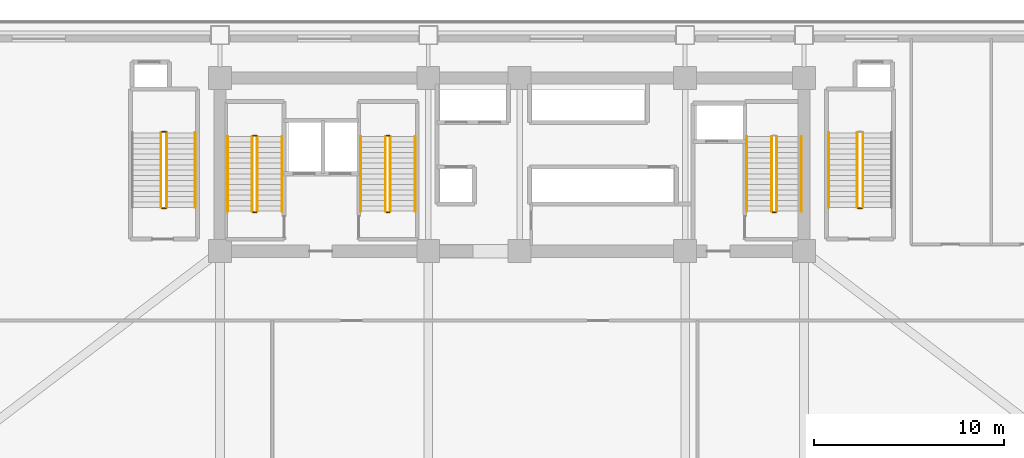
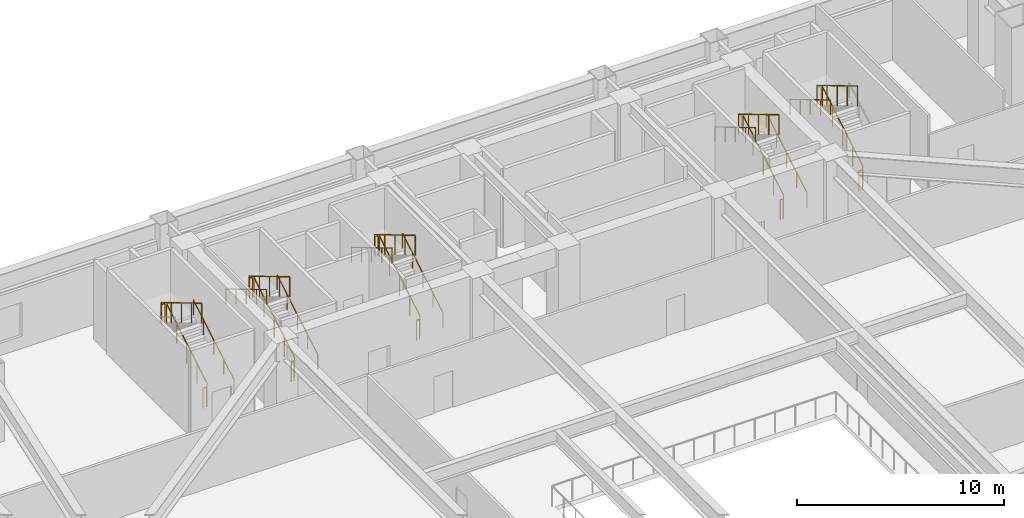
# One storey, part 12 of 14: 26 railings.
"""IFC4 building model written with IfcOpenShell, lengths in metres."""

from ifc_helpers import new_model, si_unit, direction, frame, origin, origin_2d, place, context, subcontext, project, spatial, rectangle, extrude, material, type_object, element, save


model = new_model("IFC4")

# Units and contexts
model_context = context("Model", 3, precision=1e-05, world=origin(), true_north=direction((0.0, 1.0)))
body_context = subcontext(model_context, "Body", "Model", "MODEL_VIEW")
ifc_project = project(units=[si_unit("LENGTHUNIT", "METRE"), si_unit("AREAUNIT", "SQUARE_METRE"), si_unit("VOLUMEUNIT", "CUBIC_METRE"), si_unit("PLANEANGLEUNIT", "RADIAN"), si_unit("MASSUNIT", "GRAM", prefix="KILO")], contexts=[model_context])

# Site, building, storey
site_placement = place(None, origin())
site = spatial("IfcSite", under=ifc_project, at=site_placement, CompositionType="ELEMENT")
building_placement = place(site_placement, origin())
building = spatial("IfcBuilding", under=site, at=building_placement, Name="Giltprow Tower", CompositionType="ELEMENT")
storey_placement = place(building_placement, frame((0.0, 0.0, 15.199951171875)))
storey = spatial("IfcBuildingStorey", under=building, at=storey_placement, Name="L04", CompositionType="ELEMENT", Elevation=15.199951171875)

# Railings
ifc_material = material(Name="Anodized bronze", Category="metal")
railing_type_1 = type_object("IfcRailingType", Name="RAIL-STAIR-GUARD-1200", PredefinedType="GUARDRAIL", material=ifc_material)
railing_1_placement = place(storey_placement, frame((21.81005859375, 39.550048828125, 0.166748046875)))
element("IfcRailing", 1, at=railing_1_placement, inside=storey, type_object=railing_type_1, Name="L04 ST-1 stair guard 1", PredefinedType="GUARDRAIL", context=body_context, shape_type="SweptSolid", body=[
    extrude(rectangle(XDim=0.048095703125, YDim=0.048095703125, at=origin_2d()), frame((0.0, 0.0, 1.17578125), z_axis=(0.0, 0.859296244711, 0.511478214419), x_axis=(-1.0, 0.0, 0.0)), (0.0, 0.0, 1.0), 4.561767578125),
    extrude(rectangle(XDim=0.0419921875, YDim=0.0419921875, at=origin_2d()), origin(), (0.0, 0.0, 1.0), 1.15185546875),
    extrude(rectangle(XDim=0.0419921875, YDim=0.0419921875, at=origin_2d()), frame((0.0, 0.97998046875, 0.583251953125)), (0.0, 0.0, 1.0), 1.15185546875),
    extrude(rectangle(XDim=0.0419921875, YDim=0.0419921875, at=origin_2d()), frame((0.0, 1.9599609375, 1.16650390625)), (0.0, 0.0, 1.0), 1.15185546875),
    extrude(rectangle(XDim=0.0419921875, YDim=0.0419921875, at=origin_2d()), frame((0.0, 2.93994140625, 1.75)), (0.0, 0.0, 1.0), 1.15185546875),
    extrude(rectangle(XDim=0.0419921875, YDim=0.0419921875, at=origin_2d()), frame((0.0, 3.919921875, 2.333251953125)), (0.0, 0.0, 1.0), 1.15185546875),
])
railing_2_placement = place(storey_placement, frame((21.760009765625, 43.52001953125, 2.5)))
element("IfcRailing", 2, at=railing_2_placement, inside=storey, type_object=railing_type_1, Name="L04 ST-1 stair guard 2", PredefinedType="GUARDRAIL", context=body_context, shape_type="SweptSolid", body=[
    extrude(rectangle(XDim=0.048095703125, YDim=0.048095703125, at=origin_2d()), frame((0.0, 0.0, 1.17578125), z_axis=(-1.0, 0.0, 0.0), x_axis=(0.0, -1.0, 0.0)), (0.0, 0.0, 1.0), 0.159912109375),
    extrude(rectangle(XDim=0.0419921875, YDim=0.0419921875, at=origin_2d()), origin(), (0.0, 0.0, 1.0), 1.15185546875),
    extrude(rectangle(XDim=0.0419921875, YDim=0.0419921875, at=origin_2d()), frame((-0.159912109375, 0.0, 0.0)), (0.0, 0.0, 1.0), 1.15185546875),
])
railing_3_placement = place(storey_placement, frame((21.550048828125, 43.469970703125, 2.666748046875)))
element("IfcRailing", 3, at=railing_3_placement, inside=storey, type_object=railing_type_1, Name="L04 ST-1 stair guard 3", PredefinedType="GUARDRAIL", context=body_context, shape_type="SweptSolid", body=[
    extrude(rectangle(XDim=0.048095703125, YDim=0.048095703125, at=origin_2d()), frame((0.0, 0.0, 1.17578125), z_axis=(0.0, -0.859296244711, 0.511478214419), x_axis=(1.0, 0.0, 0.0)), (0.0, 0.0, 1.0), 4.561767578125),
    extrude(rectangle(XDim=0.0419921875, YDim=0.0419921875, at=origin_2d()), origin(), (0.0, 0.0, 1.0), 1.15185546875),
    extrude(rectangle(XDim=0.0419921875, YDim=0.0419921875, at=origin_2d()), frame((0.0, -0.97998046875, 0.583251953125)), (0.0, 0.0, 1.0), 1.15185546875),
    extrude(rectangle(XDim=0.0419921875, YDim=0.0419921875, at=origin_2d()), frame((0.0, -1.9599609375, 1.16650390625)), (0.0, 0.0, 1.0), 1.15185546875),
    extrude(rectangle(XDim=0.0419921875, YDim=0.0419921875, at=origin_2d()), frame((0.0, -2.93994140625, 1.75)), (0.0, 0.0, 1.0), 1.15185546875),
    extrude(rectangle(XDim=0.0419921875, YDim=0.0419921875, at=origin_2d()), frame((0.0, -3.919921875, 2.333251953125)), (0.0, 0.0, 1.0), 1.15185546875),
])
railing_4_placement = place(storey_placement, frame((21.760009765625, 39.5, 0.0)))
element("IfcRailing", 4, at=railing_4_placement, inside=storey, type_object=railing_type_1, Name="L04 ST-1 stair guard 4", PredefinedType="GUARDRAIL", context=body_context, shape_type="SweptSolid", body=[
    extrude(rectangle(XDim=0.048095703125, YDim=0.048095703125, at=origin_2d()), frame((0.0, 0.0, 1.17578125), z_axis=(-1.0, 0.0, 0.0), x_axis=(0.0, -1.0, 0.0)), (0.0, 0.0, 1.0), 0.159912109375),
    extrude(rectangle(XDim=0.0419921875, YDim=0.0419921875, at=origin_2d()), origin(), (0.0, 0.0, 1.0), 1.15185546875),
    extrude(rectangle(XDim=0.0419921875, YDim=0.0419921875, at=origin_2d()), frame((-0.159912109375, 0.0, 0.0)), (0.0, 0.0, 1.0), 1.15185546875),
])
railing_5_placement = place(storey_placement, frame((28.81005859375, 39.550048828125, 0.166748046875)))
element("IfcRailing", 5, at=railing_5_placement, inside=storey, type_object=railing_type_1, Name="L04 ST-2 stair guard 1", PredefinedType="GUARDRAIL", context=body_context, shape_type="SweptSolid", body=[
    extrude(rectangle(XDim=0.048095703125, YDim=0.048095703125, at=origin_2d()), frame((0.0, 0.0, 1.17578125), z_axis=(0.0, 0.859296244711, 0.511478214419), x_axis=(-1.0, 0.0, 0.0)), (0.0, 0.0, 1.0), 4.561767578125),
    extrude(rectangle(XDim=0.0419921875, YDim=0.0419921875, at=origin_2d()), origin(), (0.0, 0.0, 1.0), 1.15185546875),
    extrude(rectangle(XDim=0.0419921875, YDim=0.0419921875, at=origin_2d()), frame((0.0, 0.97998046875, 0.583251953125)), (0.0, 0.0, 1.0), 1.15185546875),
    extrude(rectangle(XDim=0.0419921875, YDim=0.0419921875, at=origin_2d()), frame((0.0, 1.9599609375, 1.16650390625)), (0.0, 0.0, 1.0), 1.15185546875),
    extrude(rectangle(XDim=0.0419921875, YDim=0.0419921875, at=origin_2d()), frame((0.0, 2.93994140625, 1.75)), (0.0, 0.0, 1.0), 1.15185546875),
    extrude(rectangle(XDim=0.0419921875, YDim=0.0419921875, at=origin_2d()), frame((0.0, 3.919921875, 2.333251953125)), (0.0, 0.0, 1.0), 1.15185546875),
])
railing_6_placement = place(storey_placement, frame((28.760009765625, 43.52001953125, 2.5)))
element("IfcRailing", 6, at=railing_6_placement, inside=storey, type_object=railing_type_1, Name="L04 ST-2 stair guard 2", PredefinedType="GUARDRAIL", context=body_context, shape_type="SweptSolid", body=[
    extrude(rectangle(XDim=0.048095703125, YDim=0.048095703125, at=origin_2d()), frame((0.0, 0.0, 1.17578125), z_axis=(-1.0, 0.0, 0.0), x_axis=(0.0, -1.0, 0.0)), (0.0, 0.0, 1.0), 0.159912109375),
    extrude(rectangle(XDim=0.0419921875, YDim=0.0419921875, at=origin_2d()), origin(), (0.0, 0.0, 1.0), 1.15185546875),
    extrude(rectangle(XDim=0.0419921875, YDim=0.0419921875, at=origin_2d()), frame((-0.159912109375, 0.0, 0.0)), (0.0, 0.0, 1.0), 1.15185546875),
])
railing_7_placement = place(storey_placement, frame((28.550048828125, 43.469970703125, 2.666748046875)))
element("IfcRailing", 7, at=railing_7_placement, inside=storey, type_object=railing_type_1, Name="L04 ST-2 stair guard 3", PredefinedType="GUARDRAIL", context=body_context, shape_type="SweptSolid", body=[
    extrude(rectangle(XDim=0.048095703125, YDim=0.048095703125, at=origin_2d()), frame((0.0, 0.0, 1.17578125), z_axis=(0.0, -0.859296244711, 0.511478214419), x_axis=(1.0, 0.0, 0.0)), (0.0, 0.0, 1.0), 4.561767578125),
    extrude(rectangle(XDim=0.0419921875, YDim=0.0419921875, at=origin_2d()), origin(), (0.0, 0.0, 1.0), 1.15185546875),
    extrude(rectangle(XDim=0.0419921875, YDim=0.0419921875, at=origin_2d()), frame((0.0, -0.97998046875, 0.583251953125)), (0.0, 0.0, 1.0), 1.15185546875),
    extrude(rectangle(XDim=0.0419921875, YDim=0.0419921875, at=origin_2d()), frame((0.0, -1.9599609375, 1.16650390625)), (0.0, 0.0, 1.0), 1.15185546875),
    extrude(rectangle(XDim=0.0419921875, YDim=0.0419921875, at=origin_2d()), frame((0.0, -2.93994140625, 1.75)), (0.0, 0.0, 1.0), 1.15185546875),
    extrude(rectangle(XDim=0.0419921875, YDim=0.0419921875, at=origin_2d()), frame((0.0, -3.919921875, 2.333251953125)), (0.0, 0.0, 1.0), 1.15185546875),
])
railing_8_placement = place(storey_placement, frame((28.760009765625, 39.5, 0.0)))
element("IfcRailing", 8, at=railing_8_placement, inside=storey, type_object=railing_type_1, Name="L04 ST-2 stair guard 4", PredefinedType="GUARDRAIL", context=body_context, shape_type="SweptSolid", body=[
    extrude(rectangle(XDim=0.048095703125, YDim=0.048095703125, at=origin_2d()), frame((0.0, 0.0, 1.17578125), z_axis=(-1.0, 0.0, 0.0), x_axis=(0.0, -1.0, 0.0)), (0.0, 0.0, 1.0), 0.159912109375),
    extrude(rectangle(XDim=0.0419921875, YDim=0.0419921875, at=origin_2d()), origin(), (0.0, 0.0, 1.0), 1.15185546875),
    extrude(rectangle(XDim=0.0419921875, YDim=0.0419921875, at=origin_2d()), frame((-0.159912109375, 0.0, 0.0)), (0.0, 0.0, 1.0), 1.15185546875),
])
railing_9_placement = place(storey_placement, frame((49.110107421875, 39.550048828125, 0.166748046875)))
element("IfcRailing", 9, at=railing_9_placement, inside=storey, type_object=railing_type_1, Name="L04 ST-3 stair guard 1", PredefinedType="GUARDRAIL", context=body_context, shape_type="SweptSolid", body=[
    extrude(rectangle(XDim=0.048095703125, YDim=0.048095703125, at=origin_2d()), frame((0.0, 0.0, 1.17578125), z_axis=(0.0, 0.859296244711, 0.511478214419), x_axis=(-1.0, 0.0, 0.0)), (0.0, 0.0, 1.0), 4.561767578125),
    extrude(rectangle(XDim=0.0419921875, YDim=0.0419921875, at=origin_2d()), origin(), (0.0, 0.0, 1.0), 1.15185546875),
    extrude(rectangle(XDim=0.0419921875, YDim=0.0419921875, at=origin_2d()), frame((0.0, 0.97998046875, 0.583251953125)), (0.0, 0.0, 1.0), 1.15185546875),
    extrude(rectangle(XDim=0.0419921875, YDim=0.0419921875, at=origin_2d()), frame((0.0, 1.9599609375, 1.16650390625)), (0.0, 0.0, 1.0), 1.15185546875),
    extrude(rectangle(XDim=0.0419921875, YDim=0.0419921875, at=origin_2d()), frame((0.0, 2.93994140625, 1.75)), (0.0, 0.0, 1.0), 1.15185546875),
    extrude(rectangle(XDim=0.0419921875, YDim=0.0419921875, at=origin_2d()), frame((0.0, 3.919921875, 2.333251953125)), (0.0, 0.0, 1.0), 1.15185546875),
])
railing_10_placement = place(storey_placement, frame((48.85009765625, 43.469970703125, 2.666748046875)))
element("IfcRailing", 10, at=railing_10_placement, inside=storey, type_object=railing_type_1, Name="L04 ST-3 stair guard 3", PredefinedType="GUARDRAIL", context=body_context, shape_type="SweptSolid", body=[
    extrude(rectangle(XDim=0.048095703125, YDim=0.048095703125, at=origin_2d()), frame((0.0, 0.0, 1.17578125), z_axis=(0.0, -0.859296244711, 0.511478214419), x_axis=(1.0, 0.0, 0.0)), (0.0, 0.0, 1.0), 4.561767578125),
    extrude(rectangle(XDim=0.0419921875, YDim=0.0419921875, at=origin_2d()), origin(), (0.0, 0.0, 1.0), 1.15185546875),
    extrude(rectangle(XDim=0.0419921875, YDim=0.0419921875, at=origin_2d()), frame((0.0, -0.97998046875, 0.583251953125)), (0.0, 0.0, 1.0), 1.15185546875),
    extrude(rectangle(XDim=0.0419921875, YDim=0.0419921875, at=origin_2d()), frame((0.0, -1.9599609375, 1.16650390625)), (0.0, 0.0, 1.0), 1.15185546875),
    extrude(rectangle(XDim=0.0419921875, YDim=0.0419921875, at=origin_2d()), frame((0.0, -2.93994140625, 1.75)), (0.0, 0.0, 1.0), 1.15185546875),
    extrude(rectangle(XDim=0.0419921875, YDim=0.0419921875, at=origin_2d()), frame((0.0, -3.919921875, 2.333251953125)), (0.0, 0.0, 1.0), 1.15185546875),
])
railing_11_placement = place(storey_placement, frame((49.06005859375, 39.5, 0.0)))
element("IfcRailing", 11, at=railing_11_placement, inside=storey, type_object=railing_type_1, Name="L04 ST-3 stair guard 4", PredefinedType="GUARDRAIL", context=body_context, shape_type="SweptSolid", body=[
    extrude(rectangle(XDim=0.048095703125, YDim=0.048095703125, at=origin_2d()), frame((0.0, 0.0, 1.17578125), z_axis=(-1.0, 0.0, 0.0), x_axis=(0.0, -1.0, 0.0)), (0.0, 0.0, 1.0), 0.16015625),
    extrude(rectangle(XDim=0.0419921875, YDim=0.0419921875, at=origin_2d()), origin(), (0.0, 0.0, 1.0), 1.15185546875),
    extrude(rectangle(XDim=0.0419921875, YDim=0.0419921875, at=origin_2d()), frame((-0.16015625, 0.0, 0.0)), (0.0, 0.0, 1.0), 1.15185546875),
])
railing_12_placement = place(storey_placement, frame((17.050048828125, 39.75, 0.166748046875)))
element("IfcRailing", 12, at=railing_12_placement, inside=storey, type_object=railing_type_1, Name="L04 ST-P1 stair guard 1", PredefinedType="GUARDRAIL", context=body_context, shape_type="SweptSolid", body=[
    extrude(rectangle(XDim=0.048095703125, YDim=0.048095703125, at=origin_2d()), frame((0.0, 0.0, 1.17578125), z_axis=(0.0, 0.859296244711, 0.511478214419), x_axis=(-1.0, 0.0, 0.0)), (0.0, 0.0, 1.0), 4.561767578125),
    extrude(rectangle(XDim=0.0419921875, YDim=0.0419921875, at=origin_2d()), origin(), (0.0, 0.0, 1.0), 1.15185546875),
    extrude(rectangle(XDim=0.0419921875, YDim=0.0419921875, at=origin_2d()), frame((0.0, 0.97998046875, 0.583251953125)), (0.0, 0.0, 1.0), 1.15185546875),
    extrude(rectangle(XDim=0.0419921875, YDim=0.0419921875, at=origin_2d()), frame((0.0, 1.9599609375, 1.16650390625)), (0.0, 0.0, 1.0), 1.15185546875),
    extrude(rectangle(XDim=0.0419921875, YDim=0.0419921875, at=origin_2d()), frame((0.0, 2.93994140625, 1.75)), (0.0, 0.0, 1.0), 1.15185546875),
    extrude(rectangle(XDim=0.0419921875, YDim=0.0419921875, at=origin_2d()), frame((0.0, 3.919921875, 2.333251953125)), (0.0, 0.0, 1.0), 1.15185546875),
])
railing_13_placement = place(storey_placement, frame((17.0, 43.719970703125, 2.5)))
element("IfcRailing", 13, at=railing_13_placement, inside=storey, type_object=railing_type_1, Name="L04 ST-P1 stair guard 2", PredefinedType="GUARDRAIL", context=body_context, shape_type="SweptSolid", body=[
    extrude(rectangle(XDim=0.048095703125, YDim=0.048095703125, at=origin_2d()), frame((0.0, 0.0, 1.17578125), z_axis=(-1.0, 0.0, 0.0), x_axis=(0.0, -1.0, 0.0)), (0.0, 0.0, 1.0), 0.199951171875),
    extrude(rectangle(XDim=0.0419921875, YDim=0.0419921875, at=origin_2d()), origin(), (0.0, 0.0, 1.0), 1.15185546875),
    extrude(rectangle(XDim=0.0419921875, YDim=0.0419921875, at=origin_2d()), frame((-0.199951171875, 0.0, 0.0)), (0.0, 0.0, 1.0), 1.15185546875),
])
railing_14_placement = place(storey_placement, frame((16.75, 43.669921875, 2.666748046875)))
element("IfcRailing", 14, at=railing_14_placement, inside=storey, type_object=railing_type_1, Name="L04 ST-P1 stair guard 3", PredefinedType="GUARDRAIL", context=body_context, shape_type="SweptSolid", body=[
    extrude(rectangle(XDim=0.048095703125, YDim=0.048095703125, at=origin_2d()), frame((0.0, 0.0, 1.17578125), z_axis=(0.0, -0.859296244711, 0.511478214419), x_axis=(1.0, 0.0, 0.0)), (0.0, 0.0, 1.0), 4.561767578125),
    extrude(rectangle(XDim=0.0419921875, YDim=0.0419921875, at=origin_2d()), origin(), (0.0, 0.0, 1.0), 1.15185546875),
    extrude(rectangle(XDim=0.0419921875, YDim=0.0419921875, at=origin_2d()), frame((0.0, -0.97998046875, 0.583251953125)), (0.0, 0.0, 1.0), 1.15185546875),
    extrude(rectangle(XDim=0.0419921875, YDim=0.0419921875, at=origin_2d()), frame((0.0, -1.9599609375, 1.16650390625)), (0.0, 0.0, 1.0), 1.15185546875),
    extrude(rectangle(XDim=0.0419921875, YDim=0.0419921875, at=origin_2d()), frame((0.0, -2.93994140625, 1.75)), (0.0, 0.0, 1.0), 1.15185546875),
    extrude(rectangle(XDim=0.0419921875, YDim=0.0419921875, at=origin_2d()), frame((0.0, -3.919921875, 2.333251953125)), (0.0, 0.0, 1.0), 1.15185546875),
])
railing_15_placement = place(storey_placement, frame((17.0, 39.699951171875, 0.0)))
element("IfcRailing", 15, at=railing_15_placement, inside=storey, type_object=railing_type_1, Name="L04 ST-P1 stair guard 4", PredefinedType="GUARDRAIL", context=body_context, shape_type="SweptSolid", body=[
    extrude(rectangle(XDim=0.048095703125, YDim=0.048095703125, at=origin_2d()), frame((0.0, 0.0, 1.17578125), z_axis=(-1.0, 0.0, 0.0), x_axis=(0.0, -1.0, 0.0)), (0.0, 0.0, 1.0), 0.199951171875),
    extrude(rectangle(XDim=0.0419921875, YDim=0.0419921875, at=origin_2d()), origin(), (0.0, 0.0, 1.0), 1.15185546875),
    extrude(rectangle(XDim=0.0419921875, YDim=0.0419921875, at=origin_2d()), frame((-0.199951171875, 0.0, 0.0)), (0.0, 0.0, 1.0), 1.15185546875),
])
railing_16_placement = place(storey_placement, frame((53.64990234375, 39.75, 0.166748046875)))
element("IfcRailing", 16, at=railing_16_placement, inside=storey, type_object=railing_type_1, Name="L04 ST-P2 stair guard 1", PredefinedType="GUARDRAIL", context=body_context, shape_type="SweptSolid", body=[
    extrude(rectangle(XDim=0.048095703125, YDim=0.048095703125, at=origin_2d()), frame((0.0, 0.0, 1.17578125), z_axis=(0.0, 0.859296244711, 0.511478214419), x_axis=(-1.0, 0.0, 0.0)), (0.0, 0.0, 1.0), 4.561767578125),
    extrude(rectangle(XDim=0.0419921875, YDim=0.0419921875, at=origin_2d()), origin(), (0.0, 0.0, 1.0), 1.15185546875),
    extrude(rectangle(XDim=0.0419921875, YDim=0.0419921875, at=origin_2d()), frame((0.0, 0.97998046875, 0.583251953125)), (0.0, 0.0, 1.0), 1.15185546875),
    extrude(rectangle(XDim=0.0419921875, YDim=0.0419921875, at=origin_2d()), frame((0.0, 1.9599609375, 1.16650390625)), (0.0, 0.0, 1.0), 1.15185546875),
    extrude(rectangle(XDim=0.0419921875, YDim=0.0419921875, at=origin_2d()), frame((0.0, 2.93994140625, 1.75)), (0.0, 0.0, 1.0), 1.15185546875),
    extrude(rectangle(XDim=0.0419921875, YDim=0.0419921875, at=origin_2d()), frame((0.0, 3.919921875, 2.333251953125)), (0.0, 0.0, 1.0), 1.15185546875),
])
railing_17_placement = place(storey_placement, frame((53.35009765625, 43.669921875, 2.666748046875)))
element("IfcRailing", 17, at=railing_17_placement, inside=storey, type_object=railing_type_1, Name="L04 ST-P2 stair guard 3", PredefinedType="GUARDRAIL", context=body_context, shape_type="SweptSolid", body=[
    extrude(rectangle(XDim=0.048095703125, YDim=0.048095703125, at=origin_2d()), frame((0.0, 0.0, 1.17578125), z_axis=(0.0, -0.859296244711, 0.511478214419), x_axis=(1.0, 0.0, 0.0)), (0.0, 0.0, 1.0), 4.561767578125),
    extrude(rectangle(XDim=0.0419921875, YDim=0.0419921875, at=origin_2d()), origin(), (0.0, 0.0, 1.0), 1.15185546875),
    extrude(rectangle(XDim=0.0419921875, YDim=0.0419921875, at=origin_2d()), frame((0.0, -0.97998046875, 0.583251953125)), (0.0, 0.0, 1.0), 1.15185546875),
    extrude(rectangle(XDim=0.0419921875, YDim=0.0419921875, at=origin_2d()), frame((0.0, -1.9599609375, 1.16650390625)), (0.0, 0.0, 1.0), 1.15185546875),
    extrude(rectangle(XDim=0.0419921875, YDim=0.0419921875, at=origin_2d()), frame((0.0, -2.93994140625, 1.75)), (0.0, 0.0, 1.0), 1.15185546875),
    extrude(rectangle(XDim=0.0419921875, YDim=0.0419921875, at=origin_2d()), frame((0.0, -3.919921875, 2.333251953125)), (0.0, 0.0, 1.0), 1.15185546875),
])
railing_18_placement = place(storey_placement, frame((53.60009765625, 39.699951171875, 0.0)))
element("IfcRailing", 18, at=railing_18_placement, inside=storey, type_object=railing_type_1, Name="L04 ST-P2 stair guard 4", PredefinedType="GUARDRAIL", context=body_context, shape_type="SweptSolid", body=[
    extrude(rectangle(XDim=0.048095703125, YDim=0.048095703125, at=origin_2d()), frame((0.0, 0.0, 1.17578125), z_axis=(-1.0, 0.0, 0.0), x_axis=(0.0, -1.0, 0.0)), (0.0, 0.0, 1.0), 0.2001953125),
    extrude(rectangle(XDim=0.0419921875, YDim=0.0419921875, at=origin_2d()), origin(), (0.0, 0.0, 1.0), 1.15185546875),
    extrude(rectangle(XDim=0.0419921875, YDim=0.0419921875, at=origin_2d()), frame((-0.2001953125, 0.0, 0.0)), (0.0, 0.0, 1.0), 1.15185546875),
])
railing_type_2 = type_object("IfcRailingType", Name="RAIL-STAIR-HAND-900", PredefinedType="HANDRAIL", material=ifc_material)
railing_19_placement = place(storey_placement, frame((23.110107421875, 39.550048828125, 0.166748046875)))
element("IfcRailing", 19, at=railing_19_placement, inside=storey, type_object=railing_type_2, Name="L04 ST-1 stair handrail 1", PredefinedType="HANDRAIL", context=body_context, shape_type="SweptSolid", body=[
    extrude(rectangle(XDim=0.048095703125, YDim=0.048095703125, at=origin_2d()), frame((0.0, 0.0, 0.8759765625), z_axis=(0.0, 0.859296244711, 0.511478214419), x_axis=(-1.0, 0.0, 0.0)), (0.0, 0.0, 1.0), 4.561767578125),
    extrude(rectangle(XDim=0.0419921875, YDim=0.0419921875, at=origin_2d()), origin(), (0.0, 0.0, 1.0), 0.851806640625),
    extrude(rectangle(XDim=0.0419921875, YDim=0.0419921875, at=origin_2d()), frame((0.0, 0.97998046875, 0.583251953125)), (0.0, 0.0, 1.0), 0.851806640625),
    extrude(rectangle(XDim=0.0419921875, YDim=0.0419921875, at=origin_2d()), frame((0.0, 1.9599609375, 1.16650390625)), (0.0, 0.0, 1.0), 0.851806640625),
    extrude(rectangle(XDim=0.0419921875, YDim=0.0419921875, at=origin_2d()), frame((0.0, 2.93994140625, 1.75)), (0.0, 0.0, 1.0), 0.851806640625),
    extrude(rectangle(XDim=0.0419921875, YDim=0.0419921875, at=origin_2d()), frame((0.0, 3.919921875, 2.333251953125)), (0.0, 0.0, 1.0), 0.851806640625),
])
railing_20_placement = place(storey_placement, frame((20.25, 43.469970703125, 2.666748046875)))
element("IfcRailing", 20, at=railing_20_placement, inside=storey, type_object=railing_type_2, Name="L04 ST-1 stair handrail 2", PredefinedType="HANDRAIL", context=body_context, shape_type="SweptSolid", body=[
    extrude(rectangle(XDim=0.048095703125, YDim=0.048095703125, at=origin_2d()), frame((0.0, 0.0, 0.8759765625), z_axis=(0.0, -0.859296244711, 0.511478214419), x_axis=(1.0, 0.0, 0.0)), (0.0, 0.0, 1.0), 4.561767578125),
    extrude(rectangle(XDim=0.0419921875, YDim=0.0419921875, at=origin_2d()), origin(), (0.0, 0.0, 1.0), 0.851806640625),
    extrude(rectangle(XDim=0.0419921875, YDim=0.0419921875, at=origin_2d()), frame((0.0, -0.97998046875, 0.583251953125)), (0.0, 0.0, 1.0), 0.851806640625),
    extrude(rectangle(XDim=0.0419921875, YDim=0.0419921875, at=origin_2d()), frame((0.0, -1.9599609375, 1.16650390625)), (0.0, 0.0, 1.0), 0.851806640625),
    extrude(rectangle(XDim=0.0419921875, YDim=0.0419921875, at=origin_2d()), frame((0.0, -2.93994140625, 1.75)), (0.0, 0.0, 1.0), 0.851806640625),
    extrude(rectangle(XDim=0.0419921875, YDim=0.0419921875, at=origin_2d()), frame((0.0, -3.919921875, 2.333251953125)), (0.0, 0.0, 1.0), 0.851806640625),
])
railing_21_placement = place(storey_placement, frame((30.110107421875, 39.550048828125, 0.166748046875)))
element("IfcRailing", 21, at=railing_21_placement, inside=storey, type_object=railing_type_2, Name="L04 ST-2 stair handrail 1", PredefinedType="HANDRAIL", context=body_context, shape_type="SweptSolid", body=[
    extrude(rectangle(XDim=0.048095703125, YDim=0.048095703125, at=origin_2d()), frame((0.0, 0.0, 0.8759765625), z_axis=(0.0, 0.859296244711, 0.511478214419), x_axis=(-1.0, 0.0, 0.0)), (0.0, 0.0, 1.0), 4.561767578125),
    extrude(rectangle(XDim=0.0419921875, YDim=0.0419921875, at=origin_2d()), origin(), (0.0, 0.0, 1.0), 0.851806640625),
    extrude(rectangle(XDim=0.0419921875, YDim=0.0419921875, at=origin_2d()), frame((0.0, 0.97998046875, 0.583251953125)), (0.0, 0.0, 1.0), 0.851806640625),
    extrude(rectangle(XDim=0.0419921875, YDim=0.0419921875, at=origin_2d()), frame((0.0, 1.9599609375, 1.16650390625)), (0.0, 0.0, 1.0), 0.851806640625),
    extrude(rectangle(XDim=0.0419921875, YDim=0.0419921875, at=origin_2d()), frame((0.0, 2.93994140625, 1.75)), (0.0, 0.0, 1.0), 0.851806640625),
    extrude(rectangle(XDim=0.0419921875, YDim=0.0419921875, at=origin_2d()), frame((0.0, 3.919921875, 2.333251953125)), (0.0, 0.0, 1.0), 0.851806640625),
])
railing_22_placement = place(storey_placement, frame((27.25, 43.469970703125, 2.666748046875)))
element("IfcRailing", 22, at=railing_22_placement, inside=storey, type_object=railing_type_2, Name="L04 ST-2 stair handrail 2", PredefinedType="HANDRAIL", context=body_context, shape_type="SweptSolid", body=[
    extrude(rectangle(XDim=0.048095703125, YDim=0.048095703125, at=origin_2d()), frame((0.0, 0.0, 0.8759765625), z_axis=(0.0, -0.859296244711, 0.511478214419), x_axis=(1.0, 0.0, 0.0)), (0.0, 0.0, 1.0), 4.561767578125),
    extrude(rectangle(XDim=0.0419921875, YDim=0.0419921875, at=origin_2d()), origin(), (0.0, 0.0, 1.0), 0.851806640625),
    extrude(rectangle(XDim=0.0419921875, YDim=0.0419921875, at=origin_2d()), frame((0.0, -0.97998046875, 0.583251953125)), (0.0, 0.0, 1.0), 0.851806640625),
    extrude(rectangle(XDim=0.0419921875, YDim=0.0419921875, at=origin_2d()), frame((0.0, -1.9599609375, 1.16650390625)), (0.0, 0.0, 1.0), 0.851806640625),
    extrude(rectangle(XDim=0.0419921875, YDim=0.0419921875, at=origin_2d()), frame((0.0, -2.93994140625, 1.75)), (0.0, 0.0, 1.0), 0.851806640625),
    extrude(rectangle(XDim=0.0419921875, YDim=0.0419921875, at=origin_2d()), frame((0.0, -3.919921875, 2.333251953125)), (0.0, 0.0, 1.0), 0.851806640625),
])
railing_23_placement = place(storey_placement, frame((50.409912109375, 39.550048828125, 0.166748046875)))
element("IfcRailing", 23, at=railing_23_placement, inside=storey, type_object=railing_type_2, Name="L04 ST-3 stair handrail 1", PredefinedType="HANDRAIL", context=body_context, shape_type="SweptSolid", body=[
    extrude(rectangle(XDim=0.048095703125, YDim=0.048095703125, at=origin_2d()), frame((0.0, 0.0, 0.8759765625), z_axis=(0.0, 0.859296244711, 0.511478214419), x_axis=(-1.0, 0.0, 0.0)), (0.0, 0.0, 1.0), 4.561767578125),
    extrude(rectangle(XDim=0.0419921875, YDim=0.0419921875, at=origin_2d()), origin(), (0.0, 0.0, 1.0), 0.851806640625),
    extrude(rectangle(XDim=0.0419921875, YDim=0.0419921875, at=origin_2d()), frame((0.0, 0.97998046875, 0.583251953125)), (0.0, 0.0, 1.0), 0.851806640625),
    extrude(rectangle(XDim=0.0419921875, YDim=0.0419921875, at=origin_2d()), frame((0.0, 1.9599609375, 1.16650390625)), (0.0, 0.0, 1.0), 0.851806640625),
    extrude(rectangle(XDim=0.0419921875, YDim=0.0419921875, at=origin_2d()), frame((0.0, 2.93994140625, 1.75)), (0.0, 0.0, 1.0), 0.851806640625),
    extrude(rectangle(XDim=0.0419921875, YDim=0.0419921875, at=origin_2d()), frame((0.0, 3.919921875, 2.333251953125)), (0.0, 0.0, 1.0), 0.851806640625),
])
railing_24_placement = place(storey_placement, frame((47.550048828125, 43.469970703125, 2.666748046875)))
element("IfcRailing", 24, at=railing_24_placement, inside=storey, type_object=railing_type_2, Name="L04 ST-3 stair handrail 2", PredefinedType="HANDRAIL", context=body_context, shape_type="SweptSolid", body=[
    extrude(rectangle(XDim=0.048095703125, YDim=0.048095703125, at=origin_2d()), frame((0.0, 0.0, 0.8759765625), z_axis=(0.0, -0.859296244711, 0.511478214419), x_axis=(1.0, 0.0, 0.0)), (0.0, 0.0, 1.0), 4.561767578125),
    extrude(rectangle(XDim=0.0419921875, YDim=0.0419921875, at=origin_2d()), origin(), (0.0, 0.0, 1.0), 0.851806640625),
    extrude(rectangle(XDim=0.0419921875, YDim=0.0419921875, at=origin_2d()), frame((0.0, -0.97998046875, 0.583251953125)), (0.0, 0.0, 1.0), 0.851806640625),
    extrude(rectangle(XDim=0.0419921875, YDim=0.0419921875, at=origin_2d()), frame((0.0, -1.9599609375, 1.16650390625)), (0.0, 0.0, 1.0), 0.851806640625),
    extrude(rectangle(XDim=0.0419921875, YDim=0.0419921875, at=origin_2d()), frame((0.0, -2.93994140625, 1.75)), (0.0, 0.0, 1.0), 0.851806640625),
    extrude(rectangle(XDim=0.0419921875, YDim=0.0419921875, at=origin_2d()), frame((0.0, -3.919921875, 2.333251953125)), (0.0, 0.0, 1.0), 0.851806640625),
])
railing_25_placement = place(storey_placement, frame((18.550048828125, 39.75, 0.166748046875)))
element("IfcRailing", 25, at=railing_25_placement, inside=storey, type_object=railing_type_2, Name="L04 ST-P1 stair handrail 1", PredefinedType="HANDRAIL", context=body_context, shape_type="SweptSolid", body=[
    extrude(rectangle(XDim=0.048095703125, YDim=0.048095703125, at=origin_2d()), frame((0.0, 0.0, 0.8759765625), z_axis=(0.0, 0.859296244711, 0.511478214419), x_axis=(-1.0, 0.0, 0.0)), (0.0, 0.0, 1.0), 4.561767578125),
    extrude(rectangle(XDim=0.0419921875, YDim=0.0419921875, at=origin_2d()), origin(), (0.0, 0.0, 1.0), 0.851806640625),
    extrude(rectangle(XDim=0.0419921875, YDim=0.0419921875, at=origin_2d()), frame((0.0, 0.97998046875, 0.583251953125)), (0.0, 0.0, 1.0), 0.851806640625),
    extrude(rectangle(XDim=0.0419921875, YDim=0.0419921875, at=origin_2d()), frame((0.0, 1.9599609375, 1.16650390625)), (0.0, 0.0, 1.0), 0.851806640625),
    extrude(rectangle(XDim=0.0419921875, YDim=0.0419921875, at=origin_2d()), frame((0.0, 2.93994140625, 1.75)), (0.0, 0.0, 1.0), 0.851806640625),
    extrude(rectangle(XDim=0.0419921875, YDim=0.0419921875, at=origin_2d()), frame((0.0, 3.919921875, 2.333251953125)), (0.0, 0.0, 1.0), 0.851806640625),
])
railing_26_placement = place(storey_placement, frame((51.85009765625, 43.669921875, 2.666748046875)))
element("IfcRailing", 26, at=railing_26_placement, inside=storey, type_object=railing_type_2, Name="L04 ST-P2 stair handrail 2", PredefinedType="HANDRAIL", context=body_context, shape_type="SweptSolid", body=[
    extrude(rectangle(XDim=0.048095703125, YDim=0.048095703125, at=origin_2d()), frame((0.0, 0.0, 0.8759765625), z_axis=(0.0, -0.859296244711, 0.511478214419), x_axis=(1.0, 0.0, 0.0)), (0.0, 0.0, 1.0), 4.561767578125),
    extrude(rectangle(XDim=0.0419921875, YDim=0.0419921875, at=origin_2d()), origin(), (0.0, 0.0, 1.0), 0.851806640625),
    extrude(rectangle(XDim=0.0419921875, YDim=0.0419921875, at=origin_2d()), frame((0.0, -0.97998046875, 0.583251953125)), (0.0, 0.0, 1.0), 0.851806640625),
    extrude(rectangle(XDim=0.0419921875, YDim=0.0419921875, at=origin_2d()), frame((0.0, -1.9599609375, 1.16650390625)), (0.0, 0.0, 1.0), 0.851806640625),
    extrude(rectangle(XDim=0.0419921875, YDim=0.0419921875, at=origin_2d()), frame((0.0, -2.93994140625, 1.75)), (0.0, 0.0, 1.0), 0.851806640625),
    extrude(rectangle(XDim=0.0419921875, YDim=0.0419921875, at=origin_2d()), frame((0.0, -3.919921875, 2.333251953125)), (0.0, 0.0, 1.0), 0.851806640625),
])

save(model, "model.ifc")
